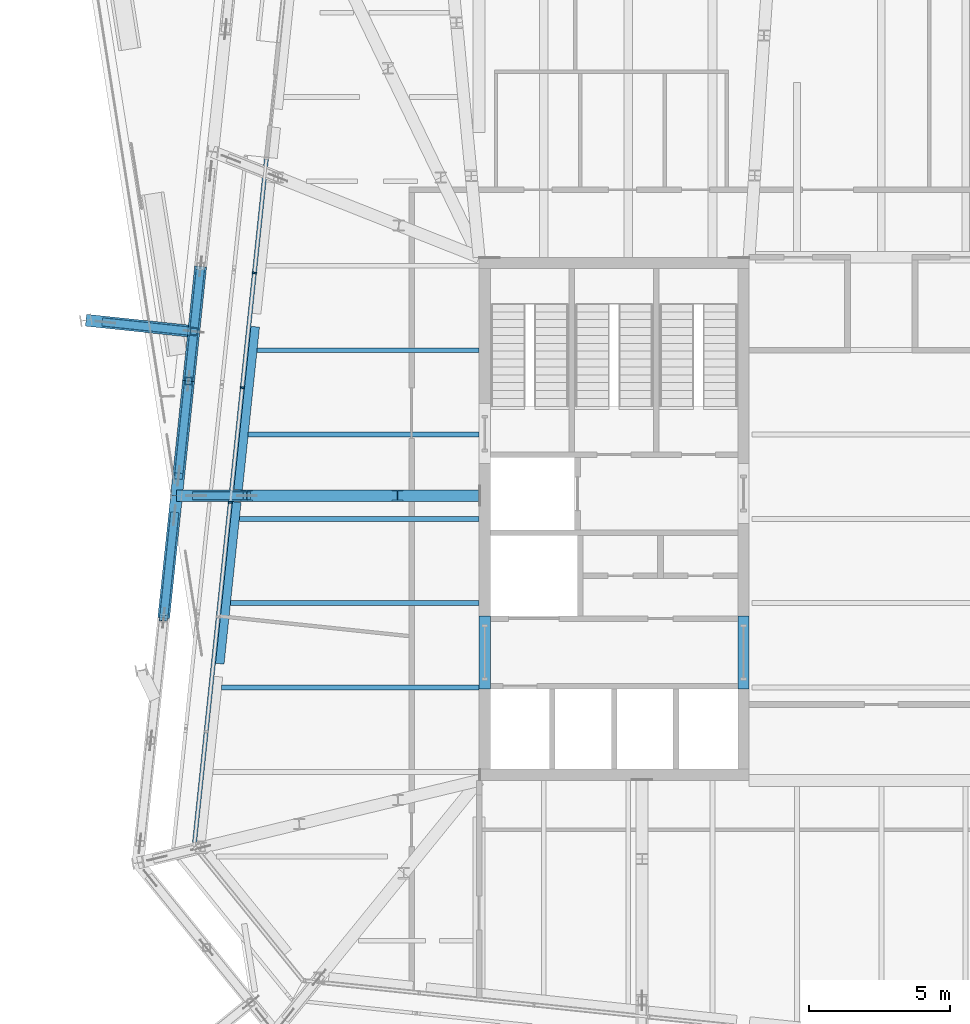
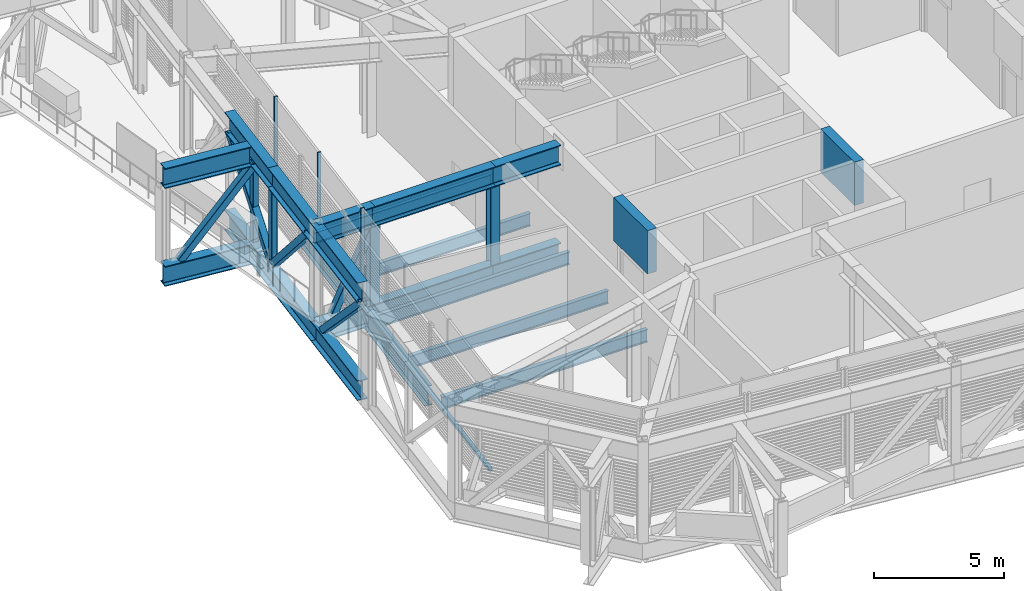
# One storey, part 7 of 36: 23 beams, 13 members, 1 element without a shape of its own.
"""IFC4 building model written with IfcOpenShell, lengths in metres."""

from ifc_helpers import new_model, si_unit, direction, frame, origin, origin_2d, place, context, subcontext, project, spatial, rectangle, hollow_rectangle, i_section, extrude, material, layer, layer_set, material_profile, profile_set, type_object, element, aggregate, save


model = new_model("IFC4")

# Units and contexts
model_context = context("Model", 3, precision=1e-05, world=origin(), true_north=direction((0.0, 1.0)))
body_context = subcontext(model_context, "Body", "Model", "MODEL_VIEW")
ifc_project = project(units=[si_unit("LENGTHUNIT", "METRE"), si_unit("AREAUNIT", "SQUARE_METRE"), si_unit("VOLUMEUNIT", "CUBIC_METRE"), si_unit("PLANEANGLEUNIT", "RADIAN"), si_unit("MASSUNIT", "GRAM", prefix="KILO")], contexts=[model_context])

# Site, building, storey
site_placement = place(None, origin())
site = spatial("IfcSite", under=ifc_project, at=site_placement, CompositionType="ELEMENT")
building_placement = place(site_placement, origin())
building = spatial("IfcBuilding", under=site, at=building_placement, Name="Millrace Tower", CompositionType="ELEMENT")
storey_placement = place(building_placement, frame((0.0, 0.0, 271.39990234375)))
storey = spatial("IfcBuildingStorey", under=building, at=storey_placement, Name="L62", CompositionType="ELEMENT", Elevation=271.39990234375)

# Curtain wall, members
ifc_material_1 = material(Name="Aluminium and glass", Category="aluminium")
ifc_layer = layer(ifc_material_1, 0.14990234375)
ifc_layer_set = layer_set([ifc_layer], Name="Aluminium and glass")
curtain_wall_type = type_object("IfcCurtainWallType", Name="CW-5 truss and plant storey louvred infill", PredefinedType="NOTDEFINED", material=ifc_layer_set)
curtain_wall_placement = place(storey_placement, origin())
curtain_wall = element("IfcCurtainWall", 1, at=curtain_wall_placement, inside=storey, type_object=curtain_wall_type, Name="Curtain wall E-F08 L62", PredefinedType="NOTDEFINED")
ifc_material_2 = material(Name="Aluminium", Category="aluminium")
ifc_material_profile_1 = material_profile(ifc_material_2, rectangle(XDim=0.06494140625, YDim=0.14990234375, at=origin_2d()))
ifc_profile_set_1 = profile_set([ifc_material_profile_1], Name="Aluminium")
member_type_1 = type_object("IfcMemberType", Name="CW-5 truss and plant storey louvred infill mullion", PredefinedType="MULLION", material=ifc_profile_set_1)
member_1_placement = place(storey_placement, frame((-22.2890625, 8.742431640625, 0.14013671875), z_axis=(0.0, 0.0, 1.0), x_axis=(-0.104528455196, -0.994521896217, 0.0)))
member_1 = element("IfcMember", 2, at=member_1_placement, type_object=member_type_1, Name="CW5 mullion E-F08.5", PredefinedType="MULLION", context=body_context, shape_type="SweptSolid", body=[
    extrude(rectangle(XDim=0.06494140625, YDim=0.14990234375, at=origin_2d()), origin(), (0.0, 0.0, 1.0), 4.4599609375),
])
member_2_placement = place(storey_placement, frame((-22.717529296875, 4.664794921875, 0.14013671875), z_axis=(0.0, 0.0, 1.0), x_axis=(-0.104528455196, -0.994521896217, 0.0)))
member_2 = element("IfcMember", 3, at=member_2_placement, type_object=member_type_1, Name="CW5 mullion E-F08.6", PredefinedType="MULLION", context=body_context, shape_type="SweptSolid", body=[
    extrude(rectangle(XDim=0.06494140625, YDim=0.14990234375, at=origin_2d()), origin(), (0.0, 0.0, 1.0), 4.4599609375),
])
member_3_placement = place(storey_placement, frame((-23.146240234375, 0.587158203125, 0.14013671875), z_axis=(0.0, 0.0, 1.0), x_axis=(-0.104528455196, -0.994521896217, 0.0)))
member_3 = element("IfcMember", 4, at=member_3_placement, type_object=member_type_1, Name="CW5 mullion E-F08.7", PredefinedType="MULLION", context=body_context, shape_type="SweptSolid", body=[
    extrude(rectangle(XDim=0.06494140625, YDim=0.14990234375, at=origin_2d()), origin(), (0.0, 0.0, 1.0), 4.4599609375),
])
ifc_material_3 = material(Name="Aluminium", Category="aluminium")
ifc_material_profile_2 = material_profile(ifc_material_3, rectangle(XDim=0.14990234375, YDim=0.139892578125, at=origin_2d()))
ifc_profile_set_2 = profile_set([ifc_material_profile_2], Name="Aluminium")
member_type_2 = type_object("IfcMemberType", Name="CW-5 truss and plant storey louvred infill transom", PredefinedType="USERDEFINED", material=ifc_profile_set_2)
member_4_placement = place(storey_placement, frame((-21.857177734375, 12.85205078125, 0.070068359375), z_axis=(-0.104522422595, -0.99452253025, 0.0), x_axis=(0.99452253025, -0.104522422595, 0.0)))
member_4 = element("IfcMember", 5, at=member_4_placement, type_object=member_type_2, Name="CW5 transom E-F08.2", ObjectType="TRANSOM", PredefinedType="USERDEFINED", context=body_context, shape_type="SweptSolid", body=[
    extrude(rectangle(XDim=0.14990234375, YDim=0.139892578125, at=origin_2d()), origin(), (0.0, 0.0, 1.0), 24.5),
])
aggregate(curtain_wall, [member_1, member_2, member_3, member_4])

# Beams
ifc_material_4 = material(Name="Concrete C60", Category="concrete")
ifc_material_profile_3 = material_profile(ifc_material_4, rectangle(XDim=0.39990234375, YDim=2.0400390625, at=origin_2d()))
ifc_profile_set_3 = profile_set([ifc_material_profile_3], Name="Concrete C60")
beam_type_1 = type_object("IfcBeamType", Name="Coupling beam 400 x 2040 Concrete C60, 2000 opening", PredefinedType="BEAM", material=ifc_profile_set_3)
for number, where, z_axis, x_axis, name in (
    (6, (-14.10009765625, -6.050048828125, 3.420166015625), (0.0, 1.0, 0.0), (-1.0, 0.0, 0.0), "Coupling beam W L62"),
    (7, (-4.89990234375, -6.050048828125, 3.420166015625), (0.0, 1.0, 0.0), (-1.0, 0.0, 0.0), "Coupling beam W L62"),
):
    element("IfcBeam", number, at=place(storey_placement, frame(where, z_axis=z_axis, x_axis=x_axis)), inside=storey, type_object=beam_type_1, Name=name, PredefinedType="BEAM", context=body_context, shape_type="SweptSolid", body=[
        extrude(rectangle(XDim=0.39990234375, YDim=2.0400390625, at=origin_2d()), origin(), (0.0, 0.0, 1.0), 2.60009765625),
    ])
ifc_material_5 = material(Name="Steel ASTM A992 Grade 50", Category="steel")
ifc_material_profile_4 = material_profile(ifc_material_5, i_section(OverallWidth=0.1650390625, OverallDepth=0.52587890625, WebThickness=0.0087890625, FlangeThickness=0.011474609375, FilletRadius=0.0126953125, at=origin_2d()))
ifc_profile_set_4 = profile_set([ifc_material_profile_4], Name="Steel ASTM A992 Grade 50")
beam_type_2 = type_object("IfcBeamType", Name="Floor beam W21x44", PredefinedType="JOIST", material=ifc_profile_set_4)
beam_1_placement = place(storey_placement, frame((-22.19287109375, 6.0, -0.4228515625), z_axis=(1.0, 0.0, 0.0), x_axis=(0.0, 1.0, 0.0)))
element("IfcBeam", 8, at=beam_1_placement, inside=storey, type_object=beam_type_2, Name="BM-E-L62-S1-S021", PredefinedType="JOIST", context=body_context, shape_type="SweptSolid", body=[
    extrude(i_section(OverallWidth=0.1650390625, OverallDepth=0.52587890625, WebThickness=0.0087890625, FlangeThickness=0.011474609375, FilletRadius=0.0126953125, at=origin_2d()), origin(), (0.0, 0.0, 1.0), 7.892822265625),
])
ifc_material_6 = material(Name="Steel ASTM A992 Grade 50", Category="steel")
ifc_material_profile_5 = material_profile(ifc_material_6, i_section(OverallWidth=0.177978515625, OverallDepth=0.599365234375, WebThickness=0.010009765625, FlangeThickness=0.012939453125, FilletRadius=0.012939453125, at=origin_2d()))
ifc_profile_set_5 = profile_set([ifc_material_profile_5], Name="Steel ASTM A992 Grade 50")
beam_type_3 = type_object("IfcBeamType", Name="Floor beam W24x55", PredefinedType="JOIST", material=ifc_profile_set_5)
beam_2_placement = place(storey_placement, frame((-23.4541015625, -6.0, -0.459716796875), z_axis=(1.0, 0.0, 0.0), x_axis=(0.0, 1.0, 0.0)))
element("IfcBeam", 9, at=beam_2_placement, inside=storey, type_object=beam_type_3, Name="BM-E-L62-S1-S009", PredefinedType="JOIST", context=body_context, shape_type="SweptSolid", body=[
    extrude(i_section(OverallWidth=0.177978515625, OverallDepth=0.599365234375, WebThickness=0.010009765625, FlangeThickness=0.012939453125, FilletRadius=0.012939453125, at=origin_2d()), origin(), (0.0, 0.0, 1.0), 9.154052734375),
])
beam_3_placement = place(storey_placement, frame((-23.138916015625, -3.0, -0.459716796875), z_axis=(1.0, 0.0, 0.0), x_axis=(0.0, 1.0, 0.0)))
element("IfcBeam", 10, at=beam_3_placement, inside=storey, type_object=beam_type_3, Name="BM-E-L62-S1-S012", PredefinedType="JOIST", context=body_context, shape_type="SweptSolid", body=[
    extrude(i_section(OverallWidth=0.177978515625, OverallDepth=0.599365234375, WebThickness=0.010009765625, FlangeThickness=0.012939453125, FilletRadius=0.012939453125, at=origin_2d()), origin(), (0.0, 0.0, 1.0), 8.8388671875),
])
beam_4_placement = place(storey_placement, frame((-22.823486328125, 0.0, -0.459716796875), z_axis=(1.0, 0.0, 0.0), x_axis=(0.0, 1.0, 0.0)))
element("IfcBeam", 11, at=beam_4_placement, inside=storey, type_object=beam_type_3, Name="BM-E-L62-S1-S015", PredefinedType="JOIST", context=body_context, shape_type="SweptSolid", body=[
    extrude(i_section(OverallWidth=0.177978515625, OverallDepth=0.599365234375, WebThickness=0.010009765625, FlangeThickness=0.012939453125, FilletRadius=0.012939453125, at=origin_2d()), origin(), (0.0, 0.0, 1.0), 8.5234375),
])
beam_5_placement = place(storey_placement, frame((-22.508056640625, 3.0, -0.459716796875), z_axis=(1.0, 0.0, 0.0), x_axis=(0.0, 1.0, 0.0)))
element("IfcBeam", 12, at=beam_5_placement, inside=storey, type_object=beam_type_3, Name="BM-E-L62-S1-S018", PredefinedType="JOIST", context=body_context, shape_type="SweptSolid", body=[
    extrude(i_section(OverallWidth=0.177978515625, OverallDepth=0.599365234375, WebThickness=0.010009765625, FlangeThickness=0.012939453125, FilletRadius=0.012939453125, at=origin_2d()), origin(), (0.0, 0.0, 1.0), 8.2080078125),
])
ifc_material_7 = material(Name="Steel ASTM A992 Grade 50", Category="steel")
ifc_material_profile_6 = material_profile(ifc_material_7, i_section(OverallWidth=0.307373046875, OverallDepth=0.927001953125, WebThickness=0.01953125, FlangeThickness=0.031982421875, FilletRadius=0.01904296875, at=origin_2d()))
ifc_profile_set_6 = profile_set([ifc_material_profile_6], Name="Steel ASTM A992 Grade 50")
beam_type_4 = type_object("IfcBeamType", Name="Ring beam short span W36x194", PredefinedType="SPANDREL", material=ifc_profile_set_6)
beam_6_placement = place(storey_placement, frame((-23.51953125, -5.15283203125, -0.62353515625), z_axis=(0.104537473334, 0.994520948331, 0.0), x_axis=(-0.994520948331, 0.104537473334, 0.0)))
element("IfcBeam", 13, at=beam_6_placement, inside=storey, type_object=beam_type_4, Name="RNG-E-L62-S1-01-b", PredefinedType="SPANDREL", context=body_context, shape_type="SweptSolid", body=[
    extrude(i_section(OverallWidth=0.307373046875, OverallDepth=0.927001953125, WebThickness=0.01953125, FlangeThickness=0.031982421875, FilletRadius=0.01904296875, at=origin_2d()), origin(), (0.0, 0.0, 1.0), 5.7802734375),
])
beam_7_placement = place(storey_placement, frame((-22.869384765625, 1.032958984375, -0.62353515625), z_axis=(0.104523472987, 0.994522419855, 0.0), x_axis=(-0.994522419855, 0.104523472987, 0.0)))
element("IfcBeam", 14, at=beam_7_placement, inside=storey, type_object=beam_type_4, Name="RNG-E-L62-S1-02-a", PredefinedType="SPANDREL", context=body_context, shape_type="SweptSolid", body=[
    extrude(i_section(OverallWidth=0.307373046875, OverallDepth=0.927001953125, WebThickness=0.01953125, FlangeThickness=0.031982421875, FilletRadius=0.01904296875, at=origin_2d()), origin(), (0.0, 0.0, 1.0), 5.830078125),
])

# Members
ifc_material_8 = material(Name="Steel ASTM A992 Grade 50", Category="steel")
ifc_material_profile_7 = material_profile(ifc_material_8, i_section(OverallWidth=0.4013671875, OverallDepth=0.398681640625, WebThickness=0.02490234375, FlangeThickness=0.03955078125, FilletRadius=0.01513671875, at=origin_2d()))
ifc_profile_set_7 = profile_set([ifc_material_profile_7], Name="Steel ASTM A992 Grade 50")
member_type_3 = type_object("IfcMemberType", Name="Transfer truss Vierendeel moment post W14x211", PredefinedType="POST", material=ifc_profile_set_7)
for number, where, z_axis, x_axis, name in (
    (15, (-22.557373046875, 0.82080078125, -0.159912109375), (0.0, 0.0, 1.0), (1.0, 0.0, 0.0), "TRS-L62-C16-V01"),
    (16, (-17.199951171875, 0.82080078125, -0.159912109375), (0.0, 0.0, 1.0), (1.0, 0.0, 0.0), "TRS-L62-C16-V02"),
):
    element("IfcMember", number, at=place(storey_placement, frame(where, z_axis=z_axis, x_axis=x_axis)), inside=storey, type_object=member_type_3, Name=name, PredefinedType="POST", context=body_context, shape_type="SweptSolid", body=[
        extrude(i_section(OverallWidth=0.4013671875, OverallDepth=0.398681640625, WebThickness=0.02490234375, FlangeThickness=0.03955078125, FilletRadius=0.01513671875, at=origin_2d()), origin(), (0.0, 0.0, 1.0), 3.652587890625),
    ])

# Beams
ifc_material_9 = material(Name="Steel ASTM A992 Grade 50", Category="steel")
ifc_material_profile_8 = material_profile(ifc_material_9, i_section(OverallWidth=0.424072265625, OverallDepth=0.947509765625, WebThickness=0.02392578125, FlangeThickness=0.042724609375, FilletRadius=0.024169921875, at=origin_2d()))
ifc_profile_set_8 = profile_set([ifc_material_profile_8], Name="Steel ASTM A992 Grade 50")
beam_type_5 = type_object("IfcBeamType", Name="Transfer truss chord W36x302", PredefinedType="BEAM", material=ifc_profile_set_8)
for number, where, z_axis, x_axis, name in (
    (17, (-24.2001953125, 8.975830078125, -0.633544921875), (-0.104501905433, -0.994524686351, 0.0), (0.994524686351, -0.104501905433, 0.0), "TRS-L62-R15-B02"),
    (18, (-24.2001953125, 8.975830078125, 3.96630859375), (-0.104501905433, -0.994524686351, 0.0), (0.994524686351, -0.104501905433, 0.0), "TRS-L62-R15-T02"),
):
    element("IfcBeam", number, at=place(storey_placement, frame(where, z_axis=z_axis, x_axis=x_axis)), inside=storey, type_object=beam_type_5, Name=name, PredefinedType="BEAM", context=body_context, shape_type="SweptSolid", body=[
        extrude(i_section(OverallWidth=0.424072265625, OverallDepth=0.947509765625, WebThickness=0.02392578125, FlangeThickness=0.042724609375, FilletRadius=0.024169921875, at=origin_2d()), origin(), (0.0, 0.0, 1.0), 4.10009765625),
    ])
for number, where, z_axis, x_axis, name in (
    (19, (-24.628662109375, 4.898193359375, -0.633544921875), (-0.104566992152, -0.994517845065, 0.0), (0.994517845065, -0.104566992152, 0.0), "TRS-L62-R15-B03"),
    (20, (-24.628662109375, 4.898193359375, 3.96630859375), (-0.104566992152, -0.994517845065, 0.0), (0.994517845065, -0.104566992152, 0.0), "TRS-L62-R15-T03"),
):
    element("IfcBeam", number, at=place(storey_placement, frame(where, z_axis=z_axis, x_axis=x_axis)), inside=storey, type_object=beam_type_5, Name=name, PredefinedType="BEAM", context=body_context, shape_type="SweptSolid", body=[
        extrude(i_section(OverallWidth=0.424072265625, OverallDepth=0.947509765625, WebThickness=0.02392578125, FlangeThickness=0.042724609375, FilletRadius=0.024169921875, at=origin_2d()), origin(), (0.0, 0.0, 1.0), 4.099853515625),
    ])
for number, where, z_axis, x_axis, name in (
    (21, (-25.057373046875, 0.82080078125, -0.633544921875), (-0.104490213635, -0.994525914823, 0.0), (0.994525914823, -0.104490213635, 0.0), "TRS-L62-R16-B01"),
    (22, (-25.057373046875, 0.82080078125, 3.96630859375), (-0.104490213635, -0.994525914823, 0.0), (0.994525914823, -0.104490213635, 0.0), "TRS-L62-R16-T01"),
):
    element("IfcBeam", number, at=place(storey_placement, frame(where, z_axis=z_axis, x_axis=x_axis)), inside=storey, type_object=beam_type_5, Name=name, PredefinedType="BEAM", context=body_context, shape_type="SweptSolid", body=[
        extrude(i_section(OverallWidth=0.424072265625, OverallDepth=0.947509765625, WebThickness=0.02392578125, FlangeThickness=0.042724609375, FilletRadius=0.024169921875, at=origin_2d()), origin(), (0.0, 0.0, 1.0), 4.376220703125),
    ])
for number, where, z_axis, x_axis, name in (
    (23, (-25.057373046875, 0.82080078125, -0.633544921875), (1.0, 0.0, 0.0), (0.0, 1.0, 0.0), "TRS-L62-C16-B01"),
    (24, (-25.057373046875, 0.82080078125, 3.96630859375), (1.0, 0.0, 0.0), (0.0, 1.0, 0.0), "TRS-L62-C16-T01"),
):
    element("IfcBeam", number, at=place(storey_placement, frame(where, z_axis=z_axis, x_axis=x_axis)), inside=storey, type_object=beam_type_5, Name=name, PredefinedType="BEAM", context=body_context, shape_type="SweptSolid", body=[
        extrude(i_section(OverallWidth=0.424072265625, OverallDepth=0.947509765625, WebThickness=0.02392578125, FlangeThickness=0.042724609375, FilletRadius=0.024169921875, at=origin_2d()), origin(), (0.0, 0.0, 1.0), 2.5),
    ])
for number, where, z_axis, x_axis, name in (
    (25, (-22.557373046875, 0.82080078125, -0.633544921875), (1.0, 0.0, 0.0), (0.0, 1.0, 0.0), "TRS-L62-C16-B02"),
    (26, (-22.557373046875, 0.82080078125, 3.96630859375), (1.0, 0.0, 0.0), (0.0, 1.0, 0.0), "TRS-L62-C16-T02"),
):
    element("IfcBeam", number, at=place(storey_placement, frame(where, z_axis=z_axis, x_axis=x_axis)), inside=storey, type_object=beam_type_5, Name=name, PredefinedType="BEAM", context=body_context, shape_type="SweptSolid", body=[
        extrude(i_section(OverallWidth=0.424072265625, OverallDepth=0.947509765625, WebThickness=0.02392578125, FlangeThickness=0.042724609375, FilletRadius=0.024169921875, at=origin_2d()), origin(), (0.0, 0.0, 1.0), 5.357421875),
    ])
for number, where, z_axis, x_axis, name in (
    (27, (-17.199951171875, 0.82080078125, -0.633544921875), (1.0, 0.0, 0.0), (0.0, 1.0, 0.0), "TRS-L62-C16-B03"),
    (28, (-17.199951171875, 0.82080078125, 3.96630859375), (1.0, 0.0, 0.0), (0.0, 1.0, 0.0), "TRS-L62-C16-T03"),
):
    element("IfcBeam", number, at=place(storey_placement, frame(where, z_axis=z_axis, x_axis=x_axis)), inside=storey, type_object=beam_type_5, Name=name, PredefinedType="BEAM", context=body_context, shape_type="SweptSolid", body=[
        extrude(i_section(OverallWidth=0.424072265625, OverallDepth=0.947509765625, WebThickness=0.02392578125, FlangeThickness=0.042724609375, FilletRadius=0.024169921875, at=origin_2d()), origin(), (0.0, 0.0, 1.0), 2.89990234375),
    ])
for number, where, z_axis, x_axis, name in (
    (29, (-28.27783203125, 7.0615234375, -0.633544921875), (0.994520864004, -0.104538275578, 0.0), (0.104538275578, 0.994520864004, 0.0), "TRS-L62-B-D-X15-B01"),
    (30, (-28.27783203125, 7.0615234375, 3.96630859375), (0.994520864004, -0.104538275578, 0.0), (0.104538275578, 0.994520864004, 0.0), "TRS-L62-B-D-X15-T01"),
):
    element("IfcBeam", number, at=place(storey_placement, frame(where, z_axis=z_axis, x_axis=x_axis)), inside=storey, type_object=beam_type_5, Name=name, PredefinedType="BEAM", context=body_context, shape_type="SweptSolid", body=[
        extrude(i_section(OverallWidth=0.424072265625, OverallDepth=0.947509765625, WebThickness=0.02392578125, FlangeThickness=0.042724609375, FilletRadius=0.024169921875, at=origin_2d()), origin(), (0.0, 0.0, 1.0), 3.643310546875),
    ])

# Members
ifc_material_10 = material(Name="Steel ASTM A500 Grade C", Category="steel")
ifc_material_profile_9 = material_profile(ifc_material_10, hollow_rectangle(XDim=0.3046875, YDim=0.3046875, WallThickness=0.0126953125, InnerFilletRadius=0.00634765625, OuterFilletRadius=0.01904296875, at=origin_2d()))
ifc_profile_set_9 = profile_set([ifc_material_profile_9], Name="Steel ASTM A500 Grade C")
member_type_4 = type_object("IfcMemberType", Name="Transfer truss diagonal HSS12x12x1/2", PredefinedType="BRACE", material=ifc_profile_set_9)
member_5_placement = place(storey_placement, frame((-24.628662109375, 4.898193359375, -0.159912109375), z_axis=(0.078029417819, 0.742591074882, 0.665184113957), x_axis=(-0.994524686351, 0.104501905433, 0.0)))
element("IfcMember", 31, at=member_5_placement, inside=storey, type_object=member_type_4, Name="TRS-L62-R15-D02", PredefinedType="BRACE", context=body_context, shape_type="SweptSolid", body=[
    extrude(hollow_rectangle(XDim=0.3046875, YDim=0.3046875, WallThickness=0.0126953125, InnerFilletRadius=0.00634765625, OuterFilletRadius=0.01904296875, at=origin_2d()), origin(), (0.0, 0.0, 1.0), 5.4912109375),
])
member_6_placement = place(storey_placement, frame((-24.628662109375, 4.898193359375, -0.159912109375), z_axis=(-0.071234551315, -0.67760888442, 0.731964369661), x_axis=(0.994519608382, -0.104550220202, 0.0)))
element("IfcMember", 32, at=member_6_placement, inside=storey, type_object=member_type_4, Name="TRS-L62-R15-D03", PredefinedType="BRACE", context=body_context, shape_type="SweptSolid", body=[
    extrude(hollow_rectangle(XDim=0.3046875, YDim=0.3046875, WallThickness=0.0126953125, InnerFilletRadius=0.00634765625, OuterFilletRadius=0.01904296875, at=origin_2d()), origin(), (0.0, 0.0, 1.0), 4.990234375),
])
member_7_placement = place(storey_placement, frame((-25.13037109375, 0.12451171875, -0.159912109375), z_axis=(-0.074152977413, -0.705489731102, 0.704830174759), x_axis=(0.994521452977, -0.104532672253, 0.0)))
element("IfcMember", 33, at=member_7_placement, inside=storey, type_object=member_type_4, Name="TRS-L62-R16-D01", PredefinedType="BRACE", context=body_context, shape_type="SweptSolid", body=[
    extrude(hollow_rectangle(XDim=0.3046875, YDim=0.3046875, WallThickness=0.0126953125, InnerFilletRadius=0.00634765625, OuterFilletRadius=0.01904296875, at=origin_2d()), origin(), (0.0, 0.0, 1.0), 5.18212890625),
])
member_8_placement = place(storey_placement, frame((-24.357177734375, 0.82080078125, -0.159912109375), z_axis=(0.442001772063, 0.0, 0.897014176863), x_axis=(0.0, 1.0, 0.0)))
element("IfcMember", 34, at=member_8_placement, inside=storey, type_object=member_type_4, Name="TRS-L62-C16-D01", PredefinedType="BRACE", context=body_context, shape_type="SweptSolid", body=[
    extrude(hollow_rectangle(XDim=0.3046875, YDim=0.3046875, WallThickness=0.0126953125, InnerFilletRadius=0.00634765625, OuterFilletRadius=0.01904296875, at=origin_2d()), origin(), (0.0, 0.0, 1.0), 4.072021484375),
])
member_9_placement = place(storey_placement, frame((-27.58154296875, 6.988525390625, -0.159912109375), z_axis=(0.65012360076, -0.068335562486, 0.756749334083), x_axis=(0.104535753938, 0.994521129061, 0.0)))
element("IfcMember", 35, at=member_9_placement, inside=storey, type_object=member_type_4, Name="TRS-L62-B-D-X15-D01", PredefinedType="BRACE", context=body_context, shape_type="SweptSolid", body=[
    extrude(hollow_rectangle(XDim=0.3046875, YDim=0.3046875, WallThickness=0.0126953125, InnerFilletRadius=0.00634765625, OuterFilletRadius=0.01904296875, at=origin_2d()), origin(), (0.0, 0.0, 1.0), 4.82666015625),
])
ifc_material_11 = material(Name="Steel ASTM A500 Grade C", Category="steel")
ifc_material_profile_10 = material_profile(ifc_material_11, hollow_rectangle(XDim=0.25390625, YDim=0.25390625, WallThickness=0.0126953125, InnerFilletRadius=0.00634765625, OuterFilletRadius=0.01904296875, at=origin_2d()))
ifc_profile_set_10 = profile_set([ifc_material_profile_10], Name="Steel ASTM A500 Grade C")
member_type_5 = type_object("IfcMemberType", Name="Transfer truss post HSS10x10x1/2", PredefinedType="POST", material=ifc_profile_set_10)
for number, where, z_axis, x_axis, name in (
    (36, (-24.628662109375, 4.898193359375, -0.159912109375), (0.0, 0.0, 1.0), (1.0, 0.0, 0.0), "TRS-L62-R15-V02"),
    (37, (-24.443603515625, 6.65869140625, -0.159912109375), (0.0, 0.0, 1.0), (1.0, 0.0, 0.0), "TRS-L62-B-D-X15-V01"),
):
    element("IfcMember", number, at=place(storey_placement, frame(where, z_axis=z_axis, x_axis=x_axis)), inside=storey, type_object=member_type_5, Name=name, PredefinedType="POST", context=body_context, shape_type="SweptSolid", body=[
        extrude(hollow_rectangle(XDim=0.25390625, YDim=0.25390625, WallThickness=0.0126953125, InnerFilletRadius=0.00634765625, OuterFilletRadius=0.01904296875, at=origin_2d()), origin(), (0.0, 0.0, 1.0), 3.652587890625),
    ])

save(model, "model.ifc")
